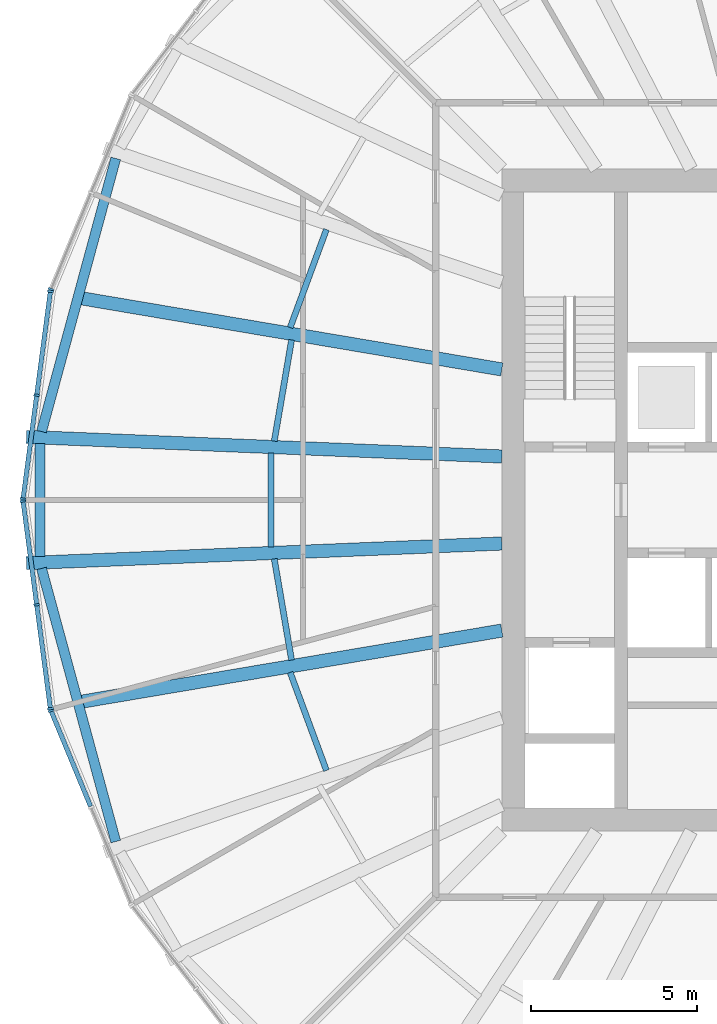
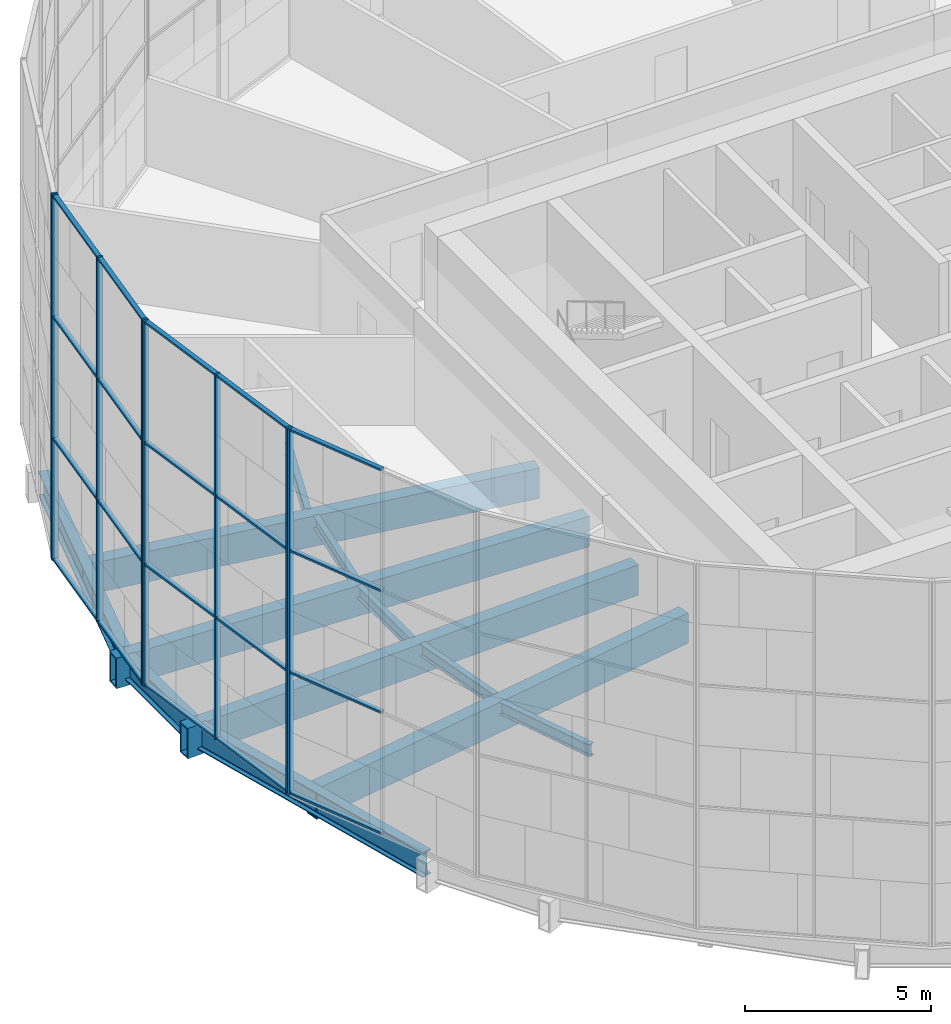
# One storey, part 3 of 22: 28 members, 12 beams, 4 elements without a shape of their own.
"""IFC4 building model written with IfcOpenShell, lengths in metres."""

from ifc_helpers import new_model, si_unit, direction, frame, origin, origin_2d, place, context, subcontext, project, spatial, rectangle, hollow_rectangle, i_section, extrude, material, material_profile, profile_set, type_object, element, aggregate, save


model = new_model("IFC4")

# Units and contexts
model_context = context("Model", 3, precision=1e-05, world=origin(), true_north=direction((0.0, 1.0)))
body_context = subcontext(model_context, "Body", "Model", "MODEL_VIEW")
ifc_project = project(units=[si_unit("LENGTHUNIT", "METRE"), si_unit("AREAUNIT", "SQUARE_METRE"), si_unit("VOLUMEUNIT", "CUBIC_METRE"), si_unit("PLANEANGLEUNIT", "RADIAN"), si_unit("MASSUNIT", "GRAM", prefix="KILO")], contexts=[model_context])

# Site, building, storey
site_placement = place(None, origin())
site = spatial("IfcSite", under=ifc_project, at=site_placement, CompositionType="ELEMENT")
building_placement = place(site_placement, origin())
building = spatial("IfcBuilding", under=site, at=building_placement, Name="Golbaran Civic Tower", CompositionType="ELEMENT")
storey_placement = place(building_placement, frame((0.0, 0.0, 90.0)))
storey = spatial("IfcBuildingStorey", under=building, at=storey_placement, Name="L21", CompositionType="ELEMENT", Elevation=90.0)

# Beams
ifc_material_1 = material(Name="Steel S355", Category="steel")
ifc_material_profile_1 = material_profile(ifc_material_1, i_section(OverallWidth=0.300048828125, OverallDepth=0.800048828125, WebThickness=0.017578125, FlangeThickness=0.032958984375, FilletRadius=0.030029296875, at=origin_2d()), Name="HEB 800")
ifc_profile_set_1 = profile_set([ifc_material_profile_1], Name="Steel S355")
beam_type_1 = type_object("IfcBeamType", Name="EDGE BEAM HEB 800", PredefinedType="BEAM", material=ifc_profile_set_1)
beam_1_placement = place(storey_placement, frame((-21.658203125, 10.314697265625, -0.60009765625), z_axis=(-0.262164981127, -0.965023068466, 0.0), x_axis=(0.965023068466, -0.262164981127, 0.0)))
element("IfcBeam", 1, at=beam_1_placement, inside=storey, type_object=beam_type_1, Name="Edge beam 154.42 L21", PredefinedType="BEAM", context=body_context, shape_type="SweptSolid", body=[
    extrude(i_section(OverallWidth=0.300048828125, OverallDepth=0.800048828125, WebThickness=0.017578125, FlangeThickness=0.032958984375, FilletRadius=0.030029296875, at=origin_2d()), origin(), (0.0, 0.0, 1.0), 8.546875),
])
beam_2_placement = place(storey_placement, frame((-23.947265625, 1.708251953125, -0.60009765625), z_axis=(0.0, -1.0, 0.0), x_axis=(1.0, 0.0, 0.0)))
element("IfcBeam", 2, at=beam_2_placement, inside=storey, type_object=beam_type_1, Name="Edge beam 175.58 L21", PredefinedType="BEAM", context=body_context, shape_type="SweptSolid", body=[
    extrude(i_section(OverallWidth=0.300048828125, OverallDepth=0.800048828125, WebThickness=0.017578125, FlangeThickness=0.032958984375, FilletRadius=0.030029296875, at=origin_2d()), origin(), (0.0, 0.0, 1.0), 3.41650390625),
])
beam_3_placement = place(storey_placement, frame((-23.89892578125, -2.066650390625, -0.60009765625), z_axis=(0.262164981127, -0.965023068466, 0.0), x_axis=(0.965023068466, 0.262164981127, 0.0)))
element("IfcBeam", 3, at=beam_3_placement, inside=storey, type_object=beam_type_1, Name="Edge beam 184.42 L21", PredefinedType="BEAM", context=body_context, shape_type="SweptSolid", body=[
    extrude(i_section(OverallWidth=0.300048828125, OverallDepth=0.800048828125, WebThickness=0.017578125, FlangeThickness=0.032958984375, FilletRadius=0.030029296875, at=origin_2d()), origin(), (0.0, 0.0, 1.0), 8.546875),
])
ifc_material_profile_2 = material_profile(ifc_material_1, i_section(OverallWidth=0.179931640625, OverallDepth=0.39990234375, WebThickness=0.008544921875, FlangeThickness=0.013427734375, FilletRadius=0.02099609375, at=origin_2d()), Name="IPE 400")
ifc_profile_set_2 = profile_set([ifc_material_profile_2], Name="Steel S355")
beam_type_2 = type_object("IfcBeamType", Name="FLOOR INFILL BEAM IPE 400", PredefinedType="BEAM", material=ifc_profile_set_2)
beam_4_placement = place(storey_placement, frame((-15.296630859375, 8.16845703125, -0.39990234375), z_axis=(-0.346755155412, -0.937955682426, 0.0), x_axis=(0.937955682426, -0.346755155412, 0.0)))
element("IfcBeam", 4, at=beam_4_placement, inside=storey, type_object=beam_type_2, Name="Infill beam 159.71 L21", PredefinedType="BEAM", context=body_context, shape_type="SweptSolid", body=[
    extrude(i_section(OverallWidth=0.179931640625, OverallDepth=0.39990234375, WebThickness=0.008544921875, FlangeThickness=0.013427734375, FilletRadius=0.02099609375, at=origin_2d()), origin(), (0.0, 0.0, 1.0), 3.156982421875),
])
beam_5_placement = place(storey_placement, frame((-16.34814453125, 4.834716796875, -0.39990234375), z_axis=(-0.168673252572, -0.985672021449, 0.0), x_axis=(0.985672021449, -0.168673252572, 0.0)))
element("IfcBeam", 5, at=beam_5_placement, inside=storey, type_object=beam_type_2, Name="Infill beam 170.29 L21", PredefinedType="BEAM", context=body_context, shape_type="SweptSolid", body=[
    extrude(i_section(OverallWidth=0.179931640625, OverallDepth=0.39990234375, WebThickness=0.008544921875, FlangeThickness=0.013427734375, FilletRadius=0.02099609375, at=origin_2d()), origin(), (0.0, 0.0, 1.0), 3.101806640625),
])
beam_6_placement = place(storey_placement, frame((-16.9736328125, 1.421142578125, -0.39990234375), z_axis=(0.0, -1.0, 0.0), x_axis=(1.0, 0.0, 0.0)))
element("IfcBeam", 6, at=beam_6_placement, inside=storey, type_object=beam_type_2, Name="Infill beam 180.00 L21", PredefinedType="BEAM", context=body_context, shape_type="SweptSolid", body=[
    extrude(i_section(OverallWidth=0.179931640625, OverallDepth=0.39990234375, WebThickness=0.008544921875, FlangeThickness=0.013427734375, FilletRadius=0.02099609375, at=origin_2d()), origin(), (0.0, 0.0, 1.0), 2.84228515625),
])
beam_7_placement = place(storey_placement, frame((-16.871337890625, -1.77734375, -0.39990234375), z_axis=(0.168673252572, -0.985672021449, 0.0), x_axis=(0.985672021449, 0.168673252572, 0.0)))
element("IfcBeam", 7, at=beam_7_placement, inside=storey, type_object=beam_type_2, Name="Infill beam 189.71 L21", PredefinedType="BEAM", context=body_context, shape_type="SweptSolid", body=[
    extrude(i_section(OverallWidth=0.179931640625, OverallDepth=0.39990234375, WebThickness=0.008544921875, FlangeThickness=0.013427734375, FilletRadius=0.02099609375, at=origin_2d()), origin(), (0.0, 0.0, 1.0), 3.101806640625),
])
beam_8_placement = place(storey_placement, frame((-16.391357421875, -5.207275390625, -0.39990234375), z_axis=(0.346755155412, -0.937955682426, 0.0), x_axis=(0.937955682426, 0.346755155412, 0.0)))
element("IfcBeam", 8, at=beam_8_placement, inside=storey, type_object=beam_type_2, Name="Infill beam 200.29 L21", PredefinedType="BEAM", context=body_context, shape_type="SweptSolid", body=[
    extrude(i_section(OverallWidth=0.179931640625, OverallDepth=0.39990234375, WebThickness=0.008544921875, FlangeThickness=0.013427734375, FilletRadius=0.02099609375, at=origin_2d()), origin(), (0.0, 0.0, 1.0), 3.156982421875),
])

# Curtain wall, member
ifc_material_2 = material(Name="Aluminium and glass", Category="aluminium")
curtain_wall_type = type_object("IfcCurtainWallType", Name="INNER SKIN CURTAIN WALL", PredefinedType="NOTDEFINED", material=ifc_material_2)
curtain_wall_1_placement = place(storey_placement, origin())
curtain_wall_1 = element("IfcCurtainWall", 9, at=curtain_wall_1_placement, inside=storey, type_object=curtain_wall_type, Name="Inner skin L21 facet 11 CW1", ObjectType="INNER SKIN", PredefinedType="USERDEFINED")
ifc_material_3 = material(Name="Aluminium", Category="aluminium")
ifc_material_profile_3 = material_profile(ifc_material_3, rectangle(XDim=0.179931640625, YDim=0.06494140625, at=origin_2d()), Name="INNER SKIN CURTAIN WALL MULLION")
ifc_profile_set_3 = profile_set([ifc_material_profile_3], Name="Aluminium")
member_type_1 = type_object("IfcMemberType", Name="INNER SKIN CURTAIN WALL MULLION", PredefinedType="MULLION", material=ifc_profile_set_3)
member_1_placement = place(storey_placement, frame((-23.614990234375, 6.361083984375, 0.0), z_axis=(0.0, 0.0, 1.0), x_axis=(0.923879532511, -0.382683432365, 0.0)))
member_1 = element("IfcMember", 10, at=member_1_placement, type_object=member_type_1, Name="CW1 mullion 3", PredefinedType="MULLION", context=body_context, shape_type="SweptSolid", body=[
    extrude(rectangle(XDim=0.179931640625, YDim=0.06494140625, at=origin_2d()), origin(), (0.0, 0.0, 1.0), 12.0),
])
aggregate(curtain_wall_1, [member_1])

# Curtain wall, members
curtain_wall_2_placement = place(storey_placement, origin())
curtain_wall_2 = element("IfcCurtainWall", 11, at=curtain_wall_2_placement, inside=storey, type_object=curtain_wall_type, Name="Inner skin L21 facet 12 CW1", ObjectType="INNER SKIN", PredefinedType="USERDEFINED")
member_2_placement = place(storey_placement, frame((-23.6318359375, 6.298828125, 0.0), z_axis=(0.0, 0.0, 1.0), x_axis=(0.991444861376, -0.130526192203, 0.0)))
member_2 = element("IfcMember", 12, at=member_2_placement, type_object=member_type_1, Name="CW1 mullion 1", PredefinedType="MULLION", context=body_context, shape_type="SweptSolid", body=[
    extrude(rectangle(XDim=0.179931640625, YDim=0.06494140625, at=origin_2d()), origin(), (0.0, 0.0, 1.0), 12.0),
])
member_3_placement = place(storey_placement, frame((-24.044189453125, 3.16552734375, 0.0), z_axis=(0.0, 0.0, 1.0), x_axis=(0.991444861376, -0.130526192203, 0.0)))
member_3 = element("IfcMember", 13, at=member_3_placement, type_object=member_type_1, Name="CW1 mullion 2", PredefinedType="MULLION", context=body_context, shape_type="SweptSolid", body=[
    extrude(rectangle(XDim=0.179931640625, YDim=0.06494140625, at=origin_2d()), origin(), (0.0, 0.0, 1.0), 12.0),
])
member_4_placement = place(storey_placement, frame((-24.456787109375, 0.0322265625, 0.0), z_axis=(0.0, 0.0, 1.0), x_axis=(0.991444861376, -0.130526192203, 0.0)))
member_4 = element("IfcMember", 14, at=member_4_placement, type_object=member_type_1, Name="CW1 mullion 3", PredefinedType="MULLION", context=body_context, shape_type="SweptSolid", body=[
    extrude(rectangle(XDim=0.179931640625, YDim=0.06494140625, at=origin_2d()), origin(), (0.0, 0.0, 1.0), 12.0),
])

curtain_wall_3_placement = place(storey_placement, origin())
curtain_wall_3 = element("IfcCurtainWall", 15, at=curtain_wall_3_placement, inside=storey, type_object=curtain_wall_type, Name="Inner skin L21 facet 13 CW1", ObjectType="INNER SKIN", PredefinedType="USERDEFINED")
member_5_placement = place(storey_placement, frame((-24.456787109375, -0.0322265625, 0.0), z_axis=(0.0, 0.0, 1.0), x_axis=(0.991444861376, 0.130526192203, 0.0)))
member_5 = element("IfcMember", 16, at=member_5_placement, type_object=member_type_1, Name="CW1 mullion 1", PredefinedType="MULLION", context=body_context, shape_type="SweptSolid", body=[
    extrude(rectangle(XDim=0.179931640625, YDim=0.06494140625, at=origin_2d()), origin(), (0.0, 0.0, 1.0), 12.0),
])
member_6_placement = place(storey_placement, frame((-24.044189453125, -3.16552734375, 0.0), z_axis=(0.0, 0.0, 1.0), x_axis=(0.991444861376, 0.130526192203, 0.0)))
member_6 = element("IfcMember", 17, at=member_6_placement, type_object=member_type_1, Name="CW1 mullion 2", PredefinedType="MULLION", context=body_context, shape_type="SweptSolid", body=[
    extrude(rectangle(XDim=0.179931640625, YDim=0.06494140625, at=origin_2d()), origin(), (0.0, 0.0, 1.0), 12.0),
])
member_7_placement = place(storey_placement, frame((-23.6318359375, -6.298828125, 0.0), z_axis=(0.0, 0.0, 1.0), x_axis=(0.991444861376, 0.130526192203, 0.0)))
member_7 = element("IfcMember", 18, at=member_7_placement, type_object=member_type_1, Name="CW1 mullion 3", PredefinedType="MULLION", context=body_context, shape_type="SweptSolid", body=[
    extrude(rectangle(XDim=0.179931640625, YDim=0.06494140625, at=origin_2d()), origin(), (0.0, 0.0, 1.0), 12.0),
])

# Curtain wall, member
curtain_wall_4_placement = place(storey_placement, origin())
curtain_wall_4 = element("IfcCurtainWall", 19, at=curtain_wall_4_placement, inside=storey, type_object=curtain_wall_type, Name="Inner skin L21 facet 14 CW1", ObjectType="INNER SKIN", PredefinedType="USERDEFINED")
member_8_placement = place(storey_placement, frame((-23.614990234375, -6.361083984375, 0.0), z_axis=(0.0, 0.0, 1.0), x_axis=(0.923879532511, 0.382683432365, 0.0)))
member_8 = element("IfcMember", 20, at=member_8_placement, type_object=member_type_1, Name="CW1 mullion 1", PredefinedType="MULLION", context=body_context, shape_type="SweptSolid", body=[
    extrude(rectangle(XDim=0.179931640625, YDim=0.06494140625, at=origin_2d()), origin(), (0.0, 0.0, 1.0), 12.0),
])

# Member
ifc_material_profile_4 = material_profile(ifc_material_3, rectangle(XDim=0.139892578125, YDim=0.06494140625, at=origin_2d()), Name="INNER SKIN CURTAIN WALL TRANSOM")
ifc_profile_set_4 = profile_set([ifc_material_profile_4], Name="Aluminium")
member_type_2 = type_object("IfcMemberType", Name="INNER SKIN CURTAIN WALL TRANSOM", PredefinedType="USERDEFINED", material=ifc_profile_set_4)
member_9_placement = place(storey_placement, frame((-23.635986328125, 6.2666015625, 0.032470703125), z_axis=(-0.130536124221, -0.99144355375, 0.0), x_axis=(0.99144355375, -0.130536124221, 0.0)))
member_9 = element("IfcMember", 21, at=member_9_placement, type_object=member_type_2, Name="CW1 transom 1.1", ObjectType="TRANSOM", PredefinedType="USERDEFINED", context=body_context, shape_type="SweptSolid", body=[
    extrude(rectangle(XDim=0.139892578125, YDim=0.06494140625, at=origin_2d()), origin(), (0.0, 0.0, 1.0), 3.09521484375),
])

member_10_placement = place(storey_placement, frame((-23.635986328125, 6.2666015625, 4.0), z_axis=(-0.130536124221, -0.99144355375, 0.0), x_axis=(0.99144355375, -0.130536124221, 0.0)))
member_10 = element("IfcMember", 22, at=member_10_placement, type_object=member_type_2, Name="CW1 transom 1.2", ObjectType="TRANSOM", PredefinedType="USERDEFINED", context=body_context, shape_type="SweptSolid", body=[
    extrude(rectangle(XDim=0.139892578125, YDim=0.06494140625, at=origin_2d()), origin(), (0.0, 0.0, 1.0), 3.09521484375),
])

member_11_placement = place(storey_placement, frame((-23.635986328125, 6.2666015625, 8.0), z_axis=(-0.130536124221, -0.99144355375, 0.0), x_axis=(0.99144355375, -0.130536124221, 0.0)))
member_11 = element("IfcMember", 23, at=member_11_placement, type_object=member_type_2, Name="CW1 transom 1.3", ObjectType="TRANSOM", PredefinedType="USERDEFINED", context=body_context, shape_type="SweptSolid", body=[
    extrude(rectangle(XDim=0.139892578125, YDim=0.06494140625, at=origin_2d()), origin(), (0.0, 0.0, 1.0), 3.09521484375),
])

member_12_placement = place(storey_placement, frame((-23.635986328125, 6.2666015625, 11.967529296875), z_axis=(-0.130536124221, -0.99144355375, 0.0), x_axis=(0.99144355375, -0.130536124221, 0.0)))
member_12 = element("IfcMember", 24, at=member_12_placement, type_object=member_type_2, Name="CW1 transom 1.4", ObjectType="TRANSOM", PredefinedType="USERDEFINED", context=body_context, shape_type="SweptSolid", body=[
    extrude(rectangle(XDim=0.139892578125, YDim=0.06494140625, at=origin_2d()), origin(), (0.0, 0.0, 1.0), 3.09521484375),
])

member_13_placement = place(storey_placement, frame((-24.048583984375, 3.13330078125, 0.032470703125), z_axis=(-0.130536124221, -0.99144355375, 0.0), x_axis=(0.99144355375, -0.130536124221, 0.0)))
member_13 = element("IfcMember", 25, at=member_13_placement, type_object=member_type_2, Name="CW1 transom 2.1", ObjectType="TRANSOM", PredefinedType="USERDEFINED", context=body_context, shape_type="SweptSolid", body=[
    extrude(rectangle(XDim=0.139892578125, YDim=0.06494140625, at=origin_2d()), origin(), (0.0, 0.0, 1.0), 3.09521484375),
])

member_14_placement = place(storey_placement, frame((-24.048583984375, 3.13330078125, 4.0), z_axis=(-0.130536124221, -0.99144355375, 0.0), x_axis=(0.99144355375, -0.130536124221, 0.0)))
member_14 = element("IfcMember", 26, at=member_14_placement, type_object=member_type_2, Name="CW1 transom 2.2", ObjectType="TRANSOM", PredefinedType="USERDEFINED", context=body_context, shape_type="SweptSolid", body=[
    extrude(rectangle(XDim=0.139892578125, YDim=0.06494140625, at=origin_2d()), origin(), (0.0, 0.0, 1.0), 3.09521484375),
])

member_15_placement = place(storey_placement, frame((-24.048583984375, 3.13330078125, 8.0), z_axis=(-0.130536124221, -0.99144355375, 0.0), x_axis=(0.99144355375, -0.130536124221, 0.0)))
member_15 = element("IfcMember", 27, at=member_15_placement, type_object=member_type_2, Name="CW1 transom 2.3", ObjectType="TRANSOM", PredefinedType="USERDEFINED", context=body_context, shape_type="SweptSolid", body=[
    extrude(rectangle(XDim=0.139892578125, YDim=0.06494140625, at=origin_2d()), origin(), (0.0, 0.0, 1.0), 3.09521484375),
])

member_16_placement = place(storey_placement, frame((-24.048583984375, 3.13330078125, 11.967529296875), z_axis=(-0.130536124221, -0.99144355375, 0.0), x_axis=(0.99144355375, -0.130536124221, 0.0)))
member_16 = element("IfcMember", 28, at=member_16_placement, type_object=member_type_2, Name="CW1 transom 2.4", ObjectType="TRANSOM", PredefinedType="USERDEFINED", context=body_context, shape_type="SweptSolid", body=[
    extrude(rectangle(XDim=0.139892578125, YDim=0.06494140625, at=origin_2d()), origin(), (0.0, 0.0, 1.0), 3.09521484375),
])

aggregate(curtain_wall_2, [member_2, member_3, member_4, member_9, member_10, member_11, member_12, member_13, member_14, member_15, member_16])

member_17_placement = place(storey_placement, frame((-24.45263671875, -0.064453125, 0.032470703125), z_axis=(0.130536124221, -0.99144355375, 0.0), x_axis=(0.99144355375, 0.130536124221, 0.0)))
member_17 = element("IfcMember", 29, at=member_17_placement, type_object=member_type_2, Name="CW1 transom 1.1", ObjectType="TRANSOM", PredefinedType="USERDEFINED", context=body_context, shape_type="SweptSolid", body=[
    extrude(rectangle(XDim=0.139892578125, YDim=0.06494140625, at=origin_2d()), origin(), (0.0, 0.0, 1.0), 3.09521484375),
])

member_18_placement = place(storey_placement, frame((-24.45263671875, -0.064453125, 4.0), z_axis=(0.130536124221, -0.99144355375, 0.0), x_axis=(0.99144355375, 0.130536124221, 0.0)))
member_18 = element("IfcMember", 30, at=member_18_placement, type_object=member_type_2, Name="CW1 transom 1.2", ObjectType="TRANSOM", PredefinedType="USERDEFINED", context=body_context, shape_type="SweptSolid", body=[
    extrude(rectangle(XDim=0.139892578125, YDim=0.06494140625, at=origin_2d()), origin(), (0.0, 0.0, 1.0), 3.09521484375),
])

member_19_placement = place(storey_placement, frame((-24.45263671875, -0.064453125, 8.0), z_axis=(0.130536124221, -0.99144355375, 0.0), x_axis=(0.99144355375, 0.130536124221, 0.0)))
member_19 = element("IfcMember", 31, at=member_19_placement, type_object=member_type_2, Name="CW1 transom 1.3", ObjectType="TRANSOM", PredefinedType="USERDEFINED", context=body_context, shape_type="SweptSolid", body=[
    extrude(rectangle(XDim=0.139892578125, YDim=0.06494140625, at=origin_2d()), origin(), (0.0, 0.0, 1.0), 3.09521484375),
])

member_20_placement = place(storey_placement, frame((-24.45263671875, -0.064453125, 11.967529296875), z_axis=(0.130536124221, -0.99144355375, 0.0), x_axis=(0.99144355375, 0.130536124221, 0.0)))
member_20 = element("IfcMember", 32, at=member_20_placement, type_object=member_type_2, Name="CW1 transom 1.4", ObjectType="TRANSOM", PredefinedType="USERDEFINED", context=body_context, shape_type="SweptSolid", body=[
    extrude(rectangle(XDim=0.139892578125, YDim=0.06494140625, at=origin_2d()), origin(), (0.0, 0.0, 1.0), 3.09521484375),
])

member_21_placement = place(storey_placement, frame((-24.0400390625, -3.19775390625, 0.032470703125), z_axis=(0.130536124221, -0.99144355375, 0.0), x_axis=(0.99144355375, 0.130536124221, 0.0)))
member_21 = element("IfcMember", 33, at=member_21_placement, type_object=member_type_2, Name="CW1 transom 2.1", ObjectType="TRANSOM", PredefinedType="USERDEFINED", context=body_context, shape_type="SweptSolid", body=[
    extrude(rectangle(XDim=0.139892578125, YDim=0.06494140625, at=origin_2d()), origin(), (0.0, 0.0, 1.0), 3.09521484375),
])

member_22_placement = place(storey_placement, frame((-24.0400390625, -3.19775390625, 4.0), z_axis=(0.130536124221, -0.99144355375, 0.0), x_axis=(0.99144355375, 0.130536124221, 0.0)))
member_22 = element("IfcMember", 34, at=member_22_placement, type_object=member_type_2, Name="CW1 transom 2.2", ObjectType="TRANSOM", PredefinedType="USERDEFINED", context=body_context, shape_type="SweptSolid", body=[
    extrude(rectangle(XDim=0.139892578125, YDim=0.06494140625, at=origin_2d()), origin(), (0.0, 0.0, 1.0), 3.09521484375),
])

member_23_placement = place(storey_placement, frame((-24.0400390625, -3.19775390625, 8.0), z_axis=(0.130536124221, -0.99144355375, 0.0), x_axis=(0.99144355375, 0.130536124221, 0.0)))
member_23 = element("IfcMember", 35, at=member_23_placement, type_object=member_type_2, Name="CW1 transom 2.3", ObjectType="TRANSOM", PredefinedType="USERDEFINED", context=body_context, shape_type="SweptSolid", body=[
    extrude(rectangle(XDim=0.139892578125, YDim=0.06494140625, at=origin_2d()), origin(), (0.0, 0.0, 1.0), 3.09521484375),
])

member_24_placement = place(storey_placement, frame((-24.0400390625, -3.19775390625, 11.967529296875), z_axis=(0.130536124221, -0.99144355375, 0.0), x_axis=(0.99144355375, 0.130536124221, 0.0)))
member_24 = element("IfcMember", 36, at=member_24_placement, type_object=member_type_2, Name="CW1 transom 2.4", ObjectType="TRANSOM", PredefinedType="USERDEFINED", context=body_context, shape_type="SweptSolid", body=[
    extrude(rectangle(XDim=0.139892578125, YDim=0.06494140625, at=origin_2d()), origin(), (0.0, 0.0, 1.0), 3.09521484375),
])

aggregate(curtain_wall_3, [member_5, member_6, member_7, member_17, member_18, member_19, member_20, member_21, member_22, member_23, member_24])

member_25_placement = place(storey_placement, frame((-23.6025390625, -6.39111328125, 0.032470703125), z_axis=(0.382637417099, -0.923898591316, 0.0), x_axis=(0.923898591316, 0.382637417099, 0.0)))
member_25 = element("IfcMember", 37, at=member_25_placement, type_object=member_type_2, Name="CW1 transom 1.1", ObjectType="TRANSOM", PredefinedType="USERDEFINED", context=body_context, shape_type="SweptSolid", body=[
    extrude(rectangle(XDim=0.139892578125, YDim=0.06494140625, at=origin_2d()), origin(), (0.0, 0.0, 1.0), 3.09521484375),
])

member_26_placement = place(storey_placement, frame((-23.6025390625, -6.39111328125, 4.0), z_axis=(0.382637417099, -0.923898591316, 0.0), x_axis=(0.923898591316, 0.382637417099, 0.0)))
member_26 = element("IfcMember", 38, at=member_26_placement, type_object=member_type_2, Name="CW1 transom 1.2", ObjectType="TRANSOM", PredefinedType="USERDEFINED", context=body_context, shape_type="SweptSolid", body=[
    extrude(rectangle(XDim=0.139892578125, YDim=0.06494140625, at=origin_2d()), origin(), (0.0, 0.0, 1.0), 3.09521484375),
])

member_27_placement = place(storey_placement, frame((-23.6025390625, -6.39111328125, 8.0), z_axis=(0.382637417099, -0.923898591316, 0.0), x_axis=(0.923898591316, 0.382637417099, 0.0)))
member_27 = element("IfcMember", 39, at=member_27_placement, type_object=member_type_2, Name="CW1 transom 1.3", ObjectType="TRANSOM", PredefinedType="USERDEFINED", context=body_context, shape_type="SweptSolid", body=[
    extrude(rectangle(XDim=0.139892578125, YDim=0.06494140625, at=origin_2d()), origin(), (0.0, 0.0, 1.0), 3.09521484375),
])

member_28_placement = place(storey_placement, frame((-23.6025390625, -6.39111328125, 11.967529296875), z_axis=(0.382637417099, -0.923898591316, 0.0), x_axis=(0.923898591316, 0.382637417099, 0.0)))
member_28 = element("IfcMember", 40, at=member_28_placement, type_object=member_type_2, Name="CW1 transom 1.4", ObjectType="TRANSOM", PredefinedType="USERDEFINED", context=body_context, shape_type="SweptSolid", body=[
    extrude(rectangle(XDim=0.139892578125, YDim=0.06494140625, at=origin_2d()), origin(), (0.0, 0.0, 1.0), 3.09521484375),
])

aggregate(curtain_wall_4, [member_8, member_25, member_26, member_27, member_28])

# Beams
ifc_material_profile_5 = material_profile(ifc_material_1, hollow_rectangle(XDim=0.39990234375, YDim=1.0, WallThickness=0.050048828125, at=origin_2d()), Name="BOX 1000x400x50")
ifc_profile_set_5 = profile_set([ifc_material_profile_5], Name="Steel S355")
beam_type_3 = type_object("IfcBeamType", Name="RADIAL FLOOR BEAM BOX 1000x400x50", PredefinedType="BEAM", material=ifc_profile_set_5)
for number, where, z_axis, x_axis, name in (
    (41, (-10.0, 1.314208984375, -0.7099609375), (-0.99915350641, 0.041137217085, 0.0), (-0.041137217085, -0.99915350641, 0.0), "Radial beam 175.58 L21"),
    (42, (-10.0, -1.314208984375, -0.7099609375), (-0.99915350641, -0.041137217085, 0.0), (0.041137217085, -0.99915350641, 0.0), "Radial beam 184.42 L21"),
):
    element("IfcBeam", number, at=place(storey_placement, frame(where, z_axis=z_axis, x_axis=x_axis)), inside=storey, type_object=beam_type_3, Name=name, PredefinedType="BEAM", context=body_context, shape_type="SweptSolid", body=[
        extrude(hollow_rectangle(XDim=0.39990234375, YDim=1.0, WallThickness=0.050048828125, at=origin_2d()), origin(), (0.0, 0.0, 1.0), 14.3681640625),
    ])
ifc_material_profile_6 = material_profile(ifc_material_1, hollow_rectangle(XDim=0.39990234375, YDim=1.0, WallThickness=0.0400390625, at=origin_2d()), Name="BOX 1000x400x40")
ifc_profile_set_6 = profile_set([ifc_material_profile_6], Name="Steel S355")
beam_type_4 = type_object("IfcBeamType", Name="SECONDARY FLOOR BEAM BOX 1000x400x40", PredefinedType="BEAM", material=ifc_profile_set_6)
for number, where, z_axis, x_axis, name in (
    (43, (-10.0, 3.94287109375, -0.7099609375), (-0.985977601057, 0.166877710358, 0.0), (-0.166877710358, -0.985977601057, 0.0), "Secondary beam 165.00 L21"),
    (44, (-10.0, -3.94287109375, -0.7099609375), (-0.985977601057, -0.166877710358, 0.0), (0.166877710358, -0.985977601057, 0.0), "Secondary beam 195.00 L21"),
):
    element("IfcBeam", number, at=place(storey_placement, frame(where, z_axis=z_axis, x_axis=x_axis)), inside=storey, type_object=beam_type_4, Name=name, PredefinedType="BEAM", context=body_context, shape_type="SweptSolid", body=[
        extrude(hollow_rectangle(XDim=0.39990234375, YDim=1.0, WallThickness=0.0400390625, at=origin_2d()), origin(), (0.0, 0.0, 1.0), 12.982666015625),
    ])

save(model, "model.ifc")
